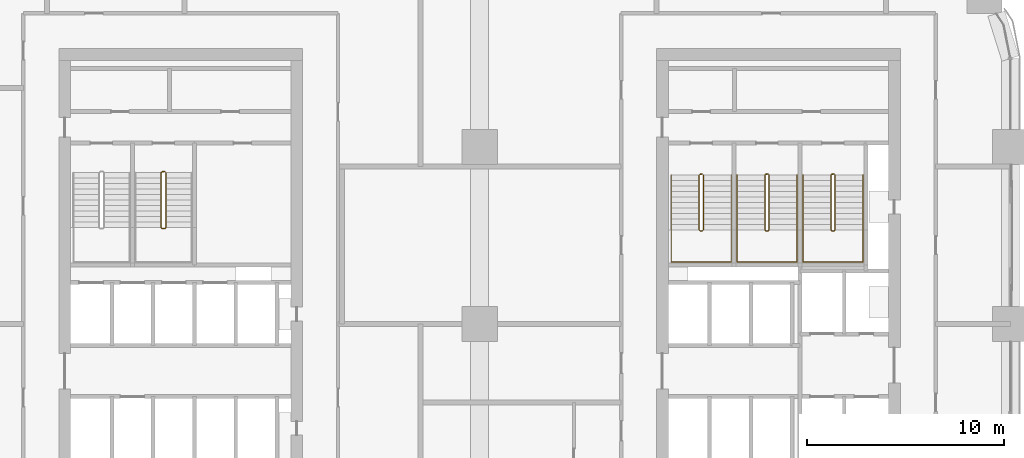
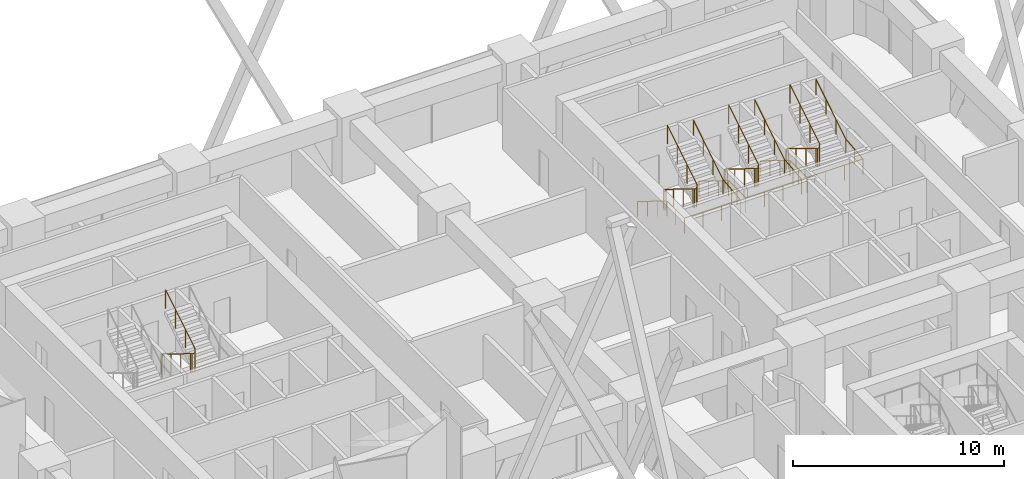
# One storey, part 19 of 19: 7 railings.
"""IFC4 building model written with IfcOpenShell, lengths in metres."""

import ifcopenshell
import ifcopenshell.guid

model = None  # the IFC model being written
_history = None  # IfcOwnerHistory: only IFC2X3 demands one
_inside = {}  # id of a spatial element -> (the spatial element, [elements in it])
_under = {}  # id of a project, library or spatial element -> (it, [spatial elements below it])
_declared = {}  # id of a project -> (the project, [libraries it declares])
_typed = {}  # id of a type object -> (the type object, [elements of that type])
_made_of = {}  # id of a material, layer set ... -> (it, [elements and type objects made of it])


def new_model(schema):
    """Start an empty IFC model of exactly this schema.

    Asked for "IFC4X3", IfcOpenShell would pick the latest addendum, in which some entities
    have other attributes; the version numbers below select the first issue.
    IFC2X3 requires an IfcOwnerHistory on every rooted entity: one is made here for all.
    """
    global model, _history
    if schema == "IFC4X3":
        model = ifcopenshell.file(schema_version=(4, 3, 0, 0))
    else:
        model = ifcopenshell.file(schema=schema)
    _inside.clear()
    _under.clear()
    _declared.clear()
    _typed.clear()
    _made_of.clear()
    _history = None
    if model.schema == "IFC2X3":
        org = make("IfcOrganization", Name="unknown")
        user = make(
            "IfcPersonAndOrganization",
            ThePerson=make("IfcPerson", FamilyName="unknown"),
            TheOrganization=org,
        )
        app = make(
            "IfcApplication",
            ApplicationDeveloper=org,
            Version="unknown",
            ApplicationFullName="unknown",
            ApplicationIdentifier="unknown",
        )
        _history = make(
            "IfcOwnerHistory",
            OwningUser=user,
            OwningApplication=app,
            ChangeAction="ADDED",
            CreationDate=0,
        )
    return model


def make(cls, **values):
    """One entity of the class cls with the attributes given. An attribute that is None is left unset."""
    return model.create_entity(
        cls, **{name: value for name, value in values.items() if value is not None}
    )


def rooted(cls, **values):
    """An entity with a GlobalId (a new one), such as an element, a storey or a relation."""
    return make(cls, GlobalId=ifcopenshell.guid.new(), OwnerHistory=_history, **values)


def si_unit(unit_type, name, prefix=None):
    """IfcSIUnit, for example si_unit("LENGTHUNIT", "METRE", prefix="MILLI")."""
    return make("IfcSIUnit", UnitType=unit_type, Prefix=prefix, Name=name)


def assignment(units):
    """IfcUnitAssignment: the units of a project."""
    return None if units is None else make("IfcUnitAssignment", Units=units)


def point(xyz):
    """IfcCartesianPoint."""
    return None if xyz is None else make("IfcCartesianPoint", Coordinates=xyz)


def direction(xyz):
    """IfcDirection."""
    return None if xyz is None else make("IfcDirection", DirectionRatios=xyz)


def frame(location, z_axis=None, x_axis=None):
    """IfcAxis2Placement3D, a coordinate frame: its origin and axes. An axis left out is left unset."""
    return make(
        "IfcAxis2Placement3D",
        Location=point(location),
        Axis=direction(z_axis),
        RefDirection=direction(x_axis),
    )


def frame_2d(location, x_axis=None):
    """IfcAxis2Placement2D, a coordinate frame in the plane: its origin and x axis."""
    return make(
        "IfcAxis2Placement2D", Location=point(location), RefDirection=direction(x_axis)
    )


def origin():
    """The frame at (0, 0, 0) with its axes left unset."""
    return frame((0.0, 0.0, 0.0))


def origin_2d():
    """The frame at (0, 0) in the plane with its x axis left unset."""
    return frame_2d((0.0, 0.0))


def place(relative_to, where):
    """IfcLocalPlacement: puts the frame where relative to a parent placement (None: the world)."""
    return make(
        "IfcLocalPlacement", PlacementRelTo=relative_to, RelativePlacement=where
    )


def context(
    kind, dimensions, precision=None, world=None, true_north=None, identifier=None
):
    """IfcGeometricRepresentationContext, for example the 3D "Model" context."""
    return make(
        "IfcGeometricRepresentationContext",
        ContextIdentifier=identifier,
        ContextType=kind,
        CoordinateSpaceDimension=dimensions,
        Precision=precision,
        WorldCoordinateSystem=world,
        TrueNorth=true_north,
    )


def subcontext(parent, identifier, kind, view, scale=None):
    """IfcGeometricRepresentationSubContext, for example "Body" below "Model"."""
    return make(
        "IfcGeometricRepresentationSubContext",
        ContextIdentifier=identifier,
        ContextType=kind,
        ParentContext=parent,
        TargetScale=scale,
        TargetView=view,
    )


def project(units=None, contexts=None):
    """IfcProject with its units and contexts."""
    return rooted(
        "IfcProject",
        Name="project",
        RepresentationContexts=contexts,
        UnitsInContext=assignment(units),
    )


def spatial(cls, under=None, at=None, **own):
    """A site, building, storey or space (cls), placed at a placement, below another one or the project."""
    s = rooted(cls, ObjectPlacement=at, **own)
    if under is not None:
        _under.setdefault(under.id(), (under, []))[1].append(s)
    return s


def profile(cls, at=None, kind="AREA", **sizes):
    """A parametric profile (cls). Its sizes go by their IFC names, for example OverallWidth=200.0."""
    return make(cls, ProfileType=kind, Position=at, **sizes)


def circle(**sizes):
    """IfcCircleProfileDef."""
    return profile("IfcCircleProfileDef", **sizes)


def extrude(swept, where, along, depth):
    """IfcExtrudedAreaSolid: the profile swept, set in the frame where, extruded along a direction by depth."""
    return make(
        "IfcExtrudedAreaSolid",
        SweptArea=swept,
        Position=where,
        ExtrudedDirection=direction(along),
        Depth=depth,
    )


def shape(context_of_items, identifier, shape_type, items):
    """IfcShapeRepresentation: the items that make up one representation, for example the "Body"."""
    return make(
        "IfcShapeRepresentation",
        ContextOfItems=context_of_items,
        RepresentationIdentifier=identifier,
        RepresentationType=shape_type,
        Items=items,
    )


def material(Name=None, Category=None):
    """IfcMaterial."""
    return make("IfcMaterial", Name=Name, Category=Category)


def made_of(thing, what):
    """Note that an element or type object is made of a material, layer set ...; save() writes the relation."""
    if what is not None:
        _made_of.setdefault(what.id(), (what, []))[1].append(thing)
    return thing


def type_object(cls, material=None, **own):
    """A type object (cls), such as IfcWallType, which elements share."""
    return made_of(rooted(cls, **own), material)


def element(
    cls,
    number,
    at=None,
    inside=None,
    cuts=None,
    type_object=None,
    material=None,
    context=None,
    identifier="Body",
    shape_type=None,
    held_by="IfcProductDefinitionShape",
    body=None,
    shapes=None,
    **own,
):
    """One element of the class cls, such as IfcWall. Its Tag is "e" and its number.

    at: its placement. inside: the storey or other place that contains it. cuts: it is an
    opening in that element (IfcRelVoidsElement). A single representation is given by context,
    identifier, shape_type and body (its items); several are given by shapes. held_by: the class
    of the entity that holds the representations. save() writes the other relations.
    """
    e = rooted(cls, Tag="e%d" % number, ObjectPlacement=at, **own)
    if body is not None:
        shapes = [shape(context, identifier, shape_type, body)]
    if shapes is not None:
        e.Representation = make(held_by, Representations=shapes)
    if inside is not None:
        _inside.setdefault(inside.id(), (inside, []))[1].append(e)
    if cuts is not None:
        rooted(
            "IfcRelVoidsElement", RelatingBuildingElement=cuts, RelatedOpeningElement=e
        )
    if type_object is not None:
        _typed.setdefault(type_object.id(), (type_object, []))[1].append(e)
    return made_of(e, material)


def aggregate(whole, parts):
    """IfcRelAggregates: a whole, such as a stair, and the parts it consists of."""
    return rooted("IfcRelAggregates", RelatingObject=whole, RelatedObjects=parts)


def save(model, path):
    """Write the relations noted so far, then the file.

    IfcRelAggregates (storeys below a building ...), IfcRelContainedInSpatialStructure (elements
    in a storey), IfcRelDefinesByType, IfcRelAssociatesMaterial and IfcRelDeclares: one each for
    every whole, place, type object, material and project.
    """
    for whole, parts in _under.values():
        aggregate(whole, parts)
    for where, things in _inside.values():
        rooted(
            "IfcRelContainedInSpatialStructure",
            RelatedElements=things,
            RelatingStructure=where,
        )
    for kind, things in _typed.values():
        rooted("IfcRelDefinesByType", RelatedObjects=things, RelatingType=kind)
    for what, things in _made_of.values():
        rooted("IfcRelAssociatesMaterial", RelatedObjects=things, RelatingMaterial=what)
    for by, libraries in _declared.values():
        rooted("IfcRelDeclares", RelatingContext=by, RelatedDefinitions=libraries)
    model.write(path)


model = new_model("IFC4")

# Units and contexts
model_context = context("Model", 3, precision=1e-05, world=origin(), true_north=direction((0.0, 1.0)))
body_context = subcontext(model_context, "Body", "Model", "MODEL_VIEW")
ifc_project = project(units=[si_unit("LENGTHUNIT", "METRE"), si_unit("AREAUNIT", "SQUARE_METRE"), si_unit("VOLUMEUNIT", "CUBIC_METRE"), si_unit("PLANEANGLEUNIT", "RADIAN"), si_unit("MASSUNIT", "GRAM", prefix="KILO")], contexts=[model_context])

# Site, building, storey
site_placement = place(None, origin())
site = spatial("IfcSite", under=ifc_project, at=site_placement, CompositionType="ELEMENT")
building_placement = place(site_placement, origin())
building = spatial("IfcBuilding", under=site, at=building_placement, Name="Tessera Arch", CompositionType="ELEMENT")
storey_placement = place(building_placement, frame((0.0, 0.0, 108.199951171875)))
storey = spatial("IfcBuildingStorey", under=building, at=storey_placement, Name="L25", CompositionType="ELEMENT", Elevation=108.199951171875)

# Railings
ifc_material_1 = material(Name="Painted steel balustrade", Category="steel")
railing_type_1 = type_object("IfcRailingType", Name="Stair guard 1100", PredefinedType="GUARDRAIL", material=ifc_material_1)
railing_1_placement = place(storey_placement, frame((38.219970703125, 43.6298828125, 0.0)))
element("IfcRailing", 1, at=railing_1_placement, inside=storey, type_object=railing_type_1, Name="L25 S1a stair guard 1", PredefinedType="GUARDRAIL", context=body_context, shape_type="SweptSolid", body=[
    extrude(circle(Radius=0.02392578125, at=origin_2d()), frame((-0.00390625, 0.0, 1.076171875), z_axis=(1.0, 0.0, 0.0), x_axis=(0.0, 1.0, 0.0)), (0.0, 0.0, 1.0), 0.1181640625),
    extrude(circle(Radius=0.02392578125, at=origin_2d()), frame((0.11279296875, 0.000732421875, 1.0732421875), z_axis=(-0.664965661675, -0.206788102106, 0.717676354369), x_axis=(0.296948579431, -0.954893471113, 0.0)), (0.0, 0.0, 1.0), 0.248779296875),
    extrude(circle(Radius=0.02392578125, at=origin_2d()), frame((-0.050048828125, -0.04638671875, 1.246826171875), z_axis=(0.0, -0.851089632645, 0.525020415988), x_axis=(1.0, 0.0, 0.0)), (0.0, 0.0, 1.0), 3.2978515625),
    extrude(circle(Radius=0.02392578125, at=origin_2d()), frame((-0.052978515625, -2.846923828125, 2.97607421875), z_axis=(0.707106781187, -0.707106781187, 0.0), x_axis=(0.707106781187, 0.707106781187, 0.0)), (0.0, 0.0, 1.0), 0.078857421875),
    extrude(circle(Radius=0.02392578125, at=origin_2d()), frame((-0.00390625, -2.89990234375, 2.97607421875), z_axis=(1.0, 0.0, 0.0), x_axis=(0.0, 1.0, 0.0)), (0.0, 0.0, 1.0), 0.1181640625),
    extrude(circle(Radius=0.02392578125, at=origin_2d()), frame((0.109130859375, -2.90087890625, 2.972412109375), z_axis=(0.267062837333, 0.268371968888, 0.925556009775), x_axis=(-0.708833529934, 0.705375805398, 0.0)), (0.0, 0.0, 1.0), 0.194580078125),
    extrude(circle(Radius=0.02392578125, at=origin_2d()), frame((0.159912109375, -2.853271484375, 3.146728515625), z_axis=(0.0, 0.851089632645, 0.525020415988), x_axis=(-1.0, 0.0, 0.0)), (0.0, 0.0, 1.0), 3.2978515625),
    extrude(circle(Radius=0.02099609375, at=origin_2d()), origin(), (0.0, 0.0, 1.0), 1.06396484375),
    extrude(circle(Radius=0.02099609375, at=origin_2d()), frame((0.110107421875, 0.0, 0.0)), (0.0, 0.0, 1.0), 1.06396484375),
    extrude(circle(Radius=0.02099609375, at=origin_2d()), frame((-0.050048828125, -0.0498046875, 0.1728515625)), (0.0, 0.0, 1.0), 1.06396484375),
    extrude(circle(Radius=0.02099609375, at=origin_2d()), frame((-0.050048828125, -0.983154296875, 0.74853515625)), (0.0, 0.0, 1.0), 1.06396484375),
    extrude(circle(Radius=0.02099609375, at=origin_2d()), frame((-0.050048828125, -1.91650390625, 1.324462890625)), (0.0, 0.0, 1.0), 1.06396484375),
    extrude(circle(Radius=0.02099609375, at=origin_2d()), frame((-0.050048828125, -2.849853515625, 1.900146484375)), (0.0, 0.0, 1.0), 1.06396484375),
    extrude(circle(Radius=0.02099609375, at=origin_2d()), frame((0.0, -2.89990234375, 1.900146484375)), (0.0, 0.0, 1.0), 1.06396484375),
    extrude(circle(Radius=0.02099609375, at=origin_2d()), frame((0.110107421875, -2.89990234375, 1.900146484375)), (0.0, 0.0, 1.0), 1.06396484375),
    extrude(circle(Radius=0.02099609375, at=origin_2d()), frame((0.159912109375, -2.849853515625, 2.07275390625)), (0.0, 0.0, 1.0), 1.06396484375),
    extrude(circle(Radius=0.02099609375, at=origin_2d()), frame((0.159912109375, -1.91650390625, 2.6484375)), (0.0, 0.0, 1.0), 1.06396484375),
    extrude(circle(Radius=0.02099609375, at=origin_2d()), frame((0.159912109375, -0.983154296875, 3.224365234375)), (0.0, 0.0, 1.0), 1.06396484375),
    extrude(circle(Radius=0.02099609375, at=origin_2d()), frame((0.159912109375, -0.0498046875, 3.800048828125)), (0.0, 0.0, 1.0), 1.06396484375),
])
railing_2_placement = place(storey_placement, frame((41.570068359375, 43.6298828125, 0.0)))
element("IfcRailing", 2, at=railing_2_placement, inside=storey, type_object=railing_type_1, Name="L25 S1b stair guard 1", PredefinedType="GUARDRAIL", context=body_context, shape_type="SweptSolid", body=[
    extrude(circle(Radius=0.02392578125, at=origin_2d()), frame((-0.00390625, 0.0, 1.076171875), z_axis=(1.0, 0.0, 0.0), x_axis=(0.0, 1.0, 0.0)), (0.0, 0.0, 1.0), 0.117919921875),
    extrude(circle(Radius=0.02392578125, at=origin_2d()), frame((0.112548828125, 0.000732421875, 1.0732421875), z_axis=(-0.664399645116, -0.206927523059, 0.718160227087), x_axis=(0.297361876254, -0.954764847777, 0.0)), (0.0, 0.0, 1.0), 0.248779296875),
    extrude(circle(Radius=0.02392578125, at=origin_2d()), frame((-0.050048828125, -0.04638671875, 1.246826171875), z_axis=(0.0, -0.851089632645, 0.525020415988), x_axis=(1.0, 0.0, 0.0)), (0.0, 0.0, 1.0), 3.2978515625),
    extrude(circle(Radius=0.02392578125, at=origin_2d()), frame((-0.052978515625, -2.846923828125, 2.97607421875), z_axis=(0.707106781187, -0.707106781187, 0.0), x_axis=(0.707106781187, 0.707106781187, 0.0)), (0.0, 0.0, 1.0), 0.078857421875),
    extrude(circle(Radius=0.02392578125, at=origin_2d()), frame((-0.00390625, -2.89990234375, 2.97607421875), z_axis=(1.0, 0.0, 0.0), x_axis=(0.0, 1.0, 0.0)), (0.0, 0.0, 1.0), 0.117919921875),
    extrude(circle(Radius=0.02392578125, at=origin_2d()), frame((0.10888671875, -2.90087890625, 2.972412109375), z_axis=(0.268277960024, 0.268277960024, 0.925231793839), x_axis=(-0.707106781187, 0.707106781187, 0.0)), (0.0, 0.0, 1.0), 0.194580078125),
    extrude(circle(Radius=0.02392578125, at=origin_2d()), frame((0.159912109375, -2.853271484375, 3.146728515625), z_axis=(0.0, 0.851089632645, 0.525020415988), x_axis=(-1.0, 0.0, 0.0)), (0.0, 0.0, 1.0), 3.2978515625),
    extrude(circle(Radius=0.02099609375, at=origin_2d()), origin(), (0.0, 0.0, 1.0), 1.06396484375),
    extrude(circle(Radius=0.02099609375, at=origin_2d()), frame((0.10986328125, 0.0, 0.0)), (0.0, 0.0, 1.0), 1.06396484375),
    extrude(circle(Radius=0.02099609375, at=origin_2d()), frame((-0.050048828125, -0.0498046875, 0.1728515625)), (0.0, 0.0, 1.0), 1.06396484375),
    extrude(circle(Radius=0.02099609375, at=origin_2d()), frame((-0.050048828125, -0.983154296875, 0.74853515625)), (0.0, 0.0, 1.0), 1.06396484375),
    extrude(circle(Radius=0.02099609375, at=origin_2d()), frame((-0.050048828125, -1.91650390625, 1.324462890625)), (0.0, 0.0, 1.0), 1.06396484375),
    extrude(circle(Radius=0.02099609375, at=origin_2d()), frame((-0.050048828125, -2.849853515625, 1.900146484375)), (0.0, 0.0, 1.0), 1.06396484375),
    extrude(circle(Radius=0.02099609375, at=origin_2d()), frame((0.0, -2.89990234375, 1.900146484375)), (0.0, 0.0, 1.0), 1.06396484375),
    extrude(circle(Radius=0.02099609375, at=origin_2d()), frame((0.10986328125, -2.89990234375, 1.900146484375)), (0.0, 0.0, 1.0), 1.06396484375),
    extrude(circle(Radius=0.02099609375, at=origin_2d()), frame((0.159912109375, -2.849853515625, 2.07275390625)), (0.0, 0.0, 1.0), 1.06396484375),
    extrude(circle(Radius=0.02099609375, at=origin_2d()), frame((0.159912109375, -1.91650390625, 2.6484375)), (0.0, 0.0, 1.0), 1.06396484375),
    extrude(circle(Radius=0.02099609375, at=origin_2d()), frame((0.159912109375, -0.983154296875, 3.224365234375)), (0.0, 0.0, 1.0), 1.06396484375),
    extrude(circle(Radius=0.02099609375, at=origin_2d()), frame((0.159912109375, -0.0498046875, 3.800048828125)), (0.0, 0.0, 1.0), 1.06396484375),
])
railing_3_placement = place(storey_placement, frame((44.919921875, 43.6298828125, 0.0)))
element("IfcRailing", 3, at=railing_3_placement, inside=storey, type_object=railing_type_1, Name="L25 S1c stair guard 1", PredefinedType="GUARDRAIL", context=body_context, shape_type="SweptSolid", body=[
    extrude(circle(Radius=0.02392578125, at=origin_2d()), frame((-0.00390625, 0.0, 1.076171875), z_axis=(1.0, 0.0, 0.0), x_axis=(0.0, 1.0, 0.0)), (0.0, 0.0, 1.0), 0.1181640625),
    extrude(circle(Radius=0.02392578125, at=origin_2d()), frame((0.11279296875, 0.000732421875, 1.0732421875), z_axis=(-0.664399645116, -0.206927523059, 0.718160227087), x_axis=(0.297361876254, -0.954764847777, 0.0)), (0.0, 0.0, 1.0), 0.248779296875),
    extrude(circle(Radius=0.02392578125, at=origin_2d()), frame((-0.0498046875, -0.04638671875, 1.246826171875), z_axis=(0.0, -0.851089632645, 0.525020415988), x_axis=(1.0, 0.0, 0.0)), (0.0, 0.0, 1.0), 3.2978515625),
    extrude(circle(Radius=0.02392578125, at=origin_2d()), frame((-0.052734375, -2.846923828125, 2.97607421875), z_axis=(0.705375805398, -0.708833529934, 0.0), x_axis=(0.708833529934, 0.705375805398, 0.0)), (0.0, 0.0, 1.0), 0.07861328125),
    extrude(circle(Radius=0.02392578125, at=origin_2d()), frame((-0.00390625, -2.89990234375, 2.97607421875), z_axis=(1.0, 0.0, 0.0), x_axis=(0.0, 1.0, 0.0)), (0.0, 0.0, 1.0), 0.1181640625),
    extrude(circle(Radius=0.02392578125, at=origin_2d()), frame((0.109130859375, -2.90087890625, 2.972412109375), z_axis=(0.268277960024, 0.268277960024, 0.925231793839), x_axis=(-0.707106781187, 0.707106781187, 0.0)), (0.0, 0.0, 1.0), 0.194580078125),
    extrude(circle(Radius=0.02392578125, at=origin_2d()), frame((0.16015625, -2.853271484375, 3.146728515625), z_axis=(0.0, 0.851089632645, 0.525020415988), x_axis=(-1.0, 0.0, 0.0)), (0.0, 0.0, 1.0), 3.2978515625),
    extrude(circle(Radius=0.02099609375, at=origin_2d()), origin(), (0.0, 0.0, 1.0), 1.06396484375),
    extrude(circle(Radius=0.02099609375, at=origin_2d()), frame((0.110107421875, 0.0, 0.0)), (0.0, 0.0, 1.0), 1.06396484375),
    extrude(circle(Radius=0.02099609375, at=origin_2d()), frame((-0.0498046875, -0.0498046875, 0.1728515625)), (0.0, 0.0, 1.0), 1.06396484375),
    extrude(circle(Radius=0.02099609375, at=origin_2d()), frame((-0.0498046875, -0.983154296875, 0.74853515625)), (0.0, 0.0, 1.0), 1.06396484375),
    extrude(circle(Radius=0.02099609375, at=origin_2d()), frame((-0.0498046875, -1.91650390625, 1.324462890625)), (0.0, 0.0, 1.0), 1.06396484375),
    extrude(circle(Radius=0.02099609375, at=origin_2d()), frame((-0.0498046875, -2.849853515625, 1.900146484375)), (0.0, 0.0, 1.0), 1.06396484375),
    extrude(circle(Radius=0.02099609375, at=origin_2d()), frame((0.0, -2.89990234375, 1.900146484375)), (0.0, 0.0, 1.0), 1.06396484375),
    extrude(circle(Radius=0.02099609375, at=origin_2d()), frame((0.110107421875, -2.89990234375, 1.900146484375)), (0.0, 0.0, 1.0), 1.06396484375),
    extrude(circle(Radius=0.02099609375, at=origin_2d()), frame((0.16015625, -2.849853515625, 2.07275390625)), (0.0, 0.0, 1.0), 1.06396484375),
    extrude(circle(Radius=0.02099609375, at=origin_2d()), frame((0.16015625, -1.91650390625, 2.6484375)), (0.0, 0.0, 1.0), 1.06396484375),
    extrude(circle(Radius=0.02099609375, at=origin_2d()), frame((0.16015625, -0.983154296875, 3.224365234375)), (0.0, 0.0, 1.0), 1.06396484375),
    extrude(circle(Radius=0.02099609375, at=origin_2d()), frame((0.16015625, -0.0498046875, 3.800048828125)), (0.0, 0.0, 1.0), 1.06396484375),
])
railing_4_placement = place(storey_placement, frame((10.85009765625, 43.75, 0.0)))
element("IfcRailing", 4, at=railing_4_placement, inside=storey, type_object=railing_type_1, Name="L25 S2b stair guard 1", PredefinedType="GUARDRAIL", context=body_context, shape_type="SweptSolid", body=[
    extrude(circle(Radius=0.02392578125, at=origin_2d()), frame((-0.00390625, 0.0, 1.076171875), z_axis=(1.0, 0.0, 0.0), x_axis=(0.0, 1.0, 0.0)), (0.0, 0.0, 1.0), 0.157958984375),
    extrude(circle(Radius=0.02392578125, at=origin_2d()), frame((0.15283203125, 0.000732421875, 1.073486328125), z_axis=(-0.743302536996, -0.186052527575, 0.642561900114), x_axis=(0.242814311512, -0.970072785993, 0.0)), (0.0, 0.0, 1.0), 0.277099609375),
    extrude(circle(Radius=0.02392578125, at=origin_2d()), frame((-0.050048828125, -0.046630859375, 1.246826171875), z_axis=(0.0, -0.851089632645, 0.525020415988), x_axis=(1.0, 0.0, 0.0)), (0.0, 0.0, 1.0), 3.2978515625),
    extrude(circle(Radius=0.02392578125, at=origin_2d()), frame((-0.052978515625, -2.84716796875, 2.97607421875), z_axis=(0.708833529934, -0.705375805398, 0.0), x_axis=(0.705375805398, 0.708833529934, 0.0)), (0.0, 0.0, 1.0), 0.07861328125),
    extrude(circle(Radius=0.02392578125, at=origin_2d()), frame((-0.00390625, -2.89990234375, 2.97607421875), z_axis=(1.0, 0.0, 0.0), x_axis=(0.0, 1.0, 0.0)), (0.0, 0.0, 1.0), 0.157958984375),
    extrude(circle(Radius=0.02392578125, at=origin_2d()), frame((0.14892578125, -2.90087890625, 2.972412109375), z_axis=(0.268371968888, 0.267062837333, 0.925556009775), x_axis=(-0.705375805398, 0.708833529934, 0.0)), (0.0, 0.0, 1.0), 0.194580078125),
    extrude(circle(Radius=0.02392578125, at=origin_2d()), frame((0.199951171875, -2.853515625, 3.146728515625), z_axis=(0.0, 0.851089632645, 0.525020415988), x_axis=(-1.0, 0.0, 0.0)), (0.0, 0.0, 1.0), 3.2978515625),
    extrude(circle(Radius=0.02099609375, at=origin_2d()), origin(), (0.0, 0.0, 1.0), 1.06396484375),
    extrude(circle(Radius=0.02099609375, at=origin_2d()), frame((0.14990234375, 0.0, 0.0)), (0.0, 0.0, 1.0), 1.06396484375),
    extrude(circle(Radius=0.02099609375, at=origin_2d()), frame((-0.050048828125, -0.050048828125, 0.1728515625)), (0.0, 0.0, 1.0), 1.06396484375),
    extrude(circle(Radius=0.02099609375, at=origin_2d()), frame((-0.050048828125, -0.9833984375, 0.74853515625)), (0.0, 0.0, 1.0), 1.06396484375),
    extrude(circle(Radius=0.02099609375, at=origin_2d()), frame((-0.050048828125, -1.916748046875, 1.324462890625)), (0.0, 0.0, 1.0), 1.06396484375),
    extrude(circle(Radius=0.02099609375, at=origin_2d()), frame((-0.050048828125, -2.85009765625, 1.900146484375)), (0.0, 0.0, 1.0), 1.06396484375),
    extrude(circle(Radius=0.02099609375, at=origin_2d()), frame((0.0, -2.89990234375, 1.900146484375)), (0.0, 0.0, 1.0), 1.06396484375),
    extrude(circle(Radius=0.02099609375, at=origin_2d()), frame((0.14990234375, -2.89990234375, 1.900146484375)), (0.0, 0.0, 1.0), 1.06396484375),
    extrude(circle(Radius=0.02099609375, at=origin_2d()), frame((0.199951171875, -2.85009765625, 2.07275390625)), (0.0, 0.0, 1.0), 1.06396484375),
    extrude(circle(Radius=0.02099609375, at=origin_2d()), frame((0.199951171875, -1.916748046875, 2.6484375)), (0.0, 0.0, 1.0), 1.06396484375),
    extrude(circle(Radius=0.02099609375, at=origin_2d()), frame((0.199951171875, -0.9833984375, 3.224365234375)), (0.0, 0.0, 1.0), 1.06396484375),
    extrude(circle(Radius=0.02099609375, at=origin_2d()), frame((0.199951171875, -0.050048828125, 3.800048828125)), (0.0, 0.0, 1.0), 1.06396484375),
])
ifc_material_2 = material(Name="Painted steel handrail", Category="steel")
railing_type_2 = type_object("IfcRailingType", Name="Stair handrail 900", PredefinedType="HANDRAIL", material=ifc_material_2)
railing_5_placement = place(storey_placement, frame((36.75, 43.580078125, 0.1728515625)))
element("IfcRailing", 5, at=railing_5_placement, inside=storey, type_object=railing_type_2, Name="L25 S1a stair handrail", PredefinedType="HANDRAIL", context=body_context, shape_type="SweptSolid", body=[
    extrude(circle(Radius=0.02392578125, at=origin_2d()), frame((0.0, 0.00341796875, 0.873779296875), z_axis=(0.0, -0.851089632645, 0.525020415988), x_axis=(1.0, 0.0, 0.0)), (0.0, 0.0, 1.0), 3.2978515625),
    extrude(circle(Radius=0.02392578125, at=origin_2d()), frame((0.0, -2.796142578125, 2.60302734375), z_axis=(0.0, -1.0, 0.0), x_axis=(1.0, 0.0, 0.0)), (0.0, 0.0, 1.0), 1.63818359375),
    extrude(circle(Radius=0.02392578125, at=origin_2d()), frame((-0.00390625, -4.43017578125, 2.60302734375), z_axis=(1.0, 0.0, 0.0), x_axis=(0.0, 1.0, 0.0)), (0.0, 0.0, 1.0), 3.05810546875),
    extrude(circle(Radius=0.02392578125, at=origin_2d()), frame((3.050048828125, -4.43408203125, 2.602783203125), z_axis=(0.0, 0.994440793715, 0.105297235459), x_axis=(-1.0, 0.0, 0.0)), (0.0, 0.0, 1.0), 1.647216796875),
    extrude(circle(Radius=0.02392578125, at=origin_2d()), frame((3.050048828125, -2.803466796875, 2.773681640625), z_axis=(0.0, 0.851089632645, 0.525020415988), x_axis=(-1.0, 0.0, 0.0)), (0.0, 0.0, 1.0), 3.2978515625),
    extrude(circle(Radius=0.02099609375, at=origin_2d()), origin(), (0.0, 0.0, 1.0), 0.86376953125),
    extrude(circle(Radius=0.02099609375, at=origin_2d()), frame((0.0, -0.933349609375, 0.57568359375)), (0.0, 0.0, 1.0), 0.86376953125),
    extrude(circle(Radius=0.02099609375, at=origin_2d()), frame((0.0, -1.86669921875, 1.151611328125)), (0.0, 0.0, 1.0), 0.86376953125),
    extrude(circle(Radius=0.02099609375, at=origin_2d()), frame((0.0, -2.800048828125, 1.727294921875)), (0.0, 0.0, 1.0), 0.86376953125),
    extrude(circle(Radius=0.02099609375, at=origin_2d()), frame((0.0, -3.615234375, 1.727294921875)), (0.0, 0.0, 1.0), 0.86376953125),
    extrude(circle(Radius=0.02099609375, at=origin_2d()), frame((0.0, -4.43017578125, 1.727294921875)), (0.0, 0.0, 1.0), 0.86376953125),
    extrude(circle(Radius=0.02099609375, at=origin_2d()), frame((1.0166015625, -4.43017578125, 1.727294921875)), (0.0, 0.0, 1.0), 0.86376953125),
    extrude(circle(Radius=0.02099609375, at=origin_2d()), frame((2.033447265625, -4.43017578125, 1.727294921875)), (0.0, 0.0, 1.0), 0.86376953125),
    extrude(circle(Radius=0.02099609375, at=origin_2d()), frame((3.050048828125, -4.43017578125, 1.727294921875)), (0.0, 0.0, 1.0), 0.86376953125),
    extrude(circle(Radius=0.02099609375, at=origin_2d()), frame((3.050048828125, -3.615234375, 1.8134765625)), (0.0, 0.0, 1.0), 0.86376953125),
    extrude(circle(Radius=0.02099609375, at=origin_2d()), frame((3.050048828125, -2.800048828125, 1.89990234375)), (0.0, 0.0, 1.0), 0.86376953125),
    extrude(circle(Radius=0.02099609375, at=origin_2d()), frame((3.050048828125, -1.86669921875, 2.4755859375)), (0.0, 0.0, 1.0), 0.86376953125),
    extrude(circle(Radius=0.02099609375, at=origin_2d()), frame((3.050048828125, -0.933349609375, 3.051513671875)), (0.0, 0.0, 1.0), 0.86376953125),
    extrude(circle(Radius=0.02099609375, at=origin_2d()), frame((3.050048828125, 0.0, 3.627197265625)), (0.0, 0.0, 1.0), 0.86376953125),
])
railing_6_placement = place(storey_placement, frame((40.10009765625, 43.580078125, 0.1728515625)))
element("IfcRailing", 6, at=railing_6_placement, inside=storey, type_object=railing_type_2, Name="L25 S1b stair handrail", PredefinedType="HANDRAIL", context=body_context, shape_type="SweptSolid", body=[
    extrude(circle(Radius=0.02392578125, at=origin_2d()), frame((0.0, 0.00341796875, 0.873779296875), z_axis=(0.0, -0.851089632645, 0.525020415988), x_axis=(1.0, 0.0, 0.0)), (0.0, 0.0, 1.0), 3.2978515625),
    extrude(circle(Radius=0.02392578125, at=origin_2d()), frame((0.0, -2.796142578125, 2.60302734375), z_axis=(0.0, -1.0, 0.0), x_axis=(1.0, 0.0, 0.0)), (0.0, 0.0, 1.0), 1.63818359375),
    extrude(circle(Radius=0.02392578125, at=origin_2d()), frame((-0.00390625, -4.43017578125, 2.60302734375), z_axis=(1.0, 0.0, 0.0), x_axis=(0.0, 1.0, 0.0)), (0.0, 0.0, 1.0), 3.057861328125),
    extrude(circle(Radius=0.02392578125, at=origin_2d()), frame((3.0498046875, -4.43408203125, 2.602783203125), z_axis=(0.0, 0.994440793715, 0.105297235459), x_axis=(-1.0, 0.0, 0.0)), (0.0, 0.0, 1.0), 1.647216796875),
    extrude(circle(Radius=0.02392578125, at=origin_2d()), frame((3.0498046875, -2.803466796875, 2.773681640625), z_axis=(0.0, 0.851089632645, 0.525020415988), x_axis=(-1.0, 0.0, 0.0)), (0.0, 0.0, 1.0), 3.2978515625),
    extrude(circle(Radius=0.02099609375, at=origin_2d()), origin(), (0.0, 0.0, 1.0), 0.86376953125),
    extrude(circle(Radius=0.02099609375, at=origin_2d()), frame((0.0, -0.933349609375, 0.57568359375)), (0.0, 0.0, 1.0), 0.86376953125),
    extrude(circle(Radius=0.02099609375, at=origin_2d()), frame((0.0, -1.86669921875, 1.151611328125)), (0.0, 0.0, 1.0), 0.86376953125),
    extrude(circle(Radius=0.02099609375, at=origin_2d()), frame((0.0, -2.800048828125, 1.727294921875)), (0.0, 0.0, 1.0), 0.86376953125),
    extrude(circle(Radius=0.02099609375, at=origin_2d()), frame((0.0, -3.615234375, 1.727294921875)), (0.0, 0.0, 1.0), 0.86376953125),
    extrude(circle(Radius=0.02099609375, at=origin_2d()), frame((0.0, -4.43017578125, 1.727294921875)), (0.0, 0.0, 1.0), 0.86376953125),
    extrude(circle(Radius=0.02099609375, at=origin_2d()), frame((1.0166015625, -4.43017578125, 1.727294921875)), (0.0, 0.0, 1.0), 0.86376953125),
    extrude(circle(Radius=0.02099609375, at=origin_2d()), frame((2.033203125, -4.43017578125, 1.727294921875)), (0.0, 0.0, 1.0), 0.86376953125),
    extrude(circle(Radius=0.02099609375, at=origin_2d()), frame((3.0498046875, -4.43017578125, 1.727294921875)), (0.0, 0.0, 1.0), 0.86376953125),
    extrude(circle(Radius=0.02099609375, at=origin_2d()), frame((3.0498046875, -3.615234375, 1.8134765625)), (0.0, 0.0, 1.0), 0.86376953125),
    extrude(circle(Radius=0.02099609375, at=origin_2d()), frame((3.0498046875, -2.800048828125, 1.89990234375)), (0.0, 0.0, 1.0), 0.86376953125),
    extrude(circle(Radius=0.02099609375, at=origin_2d()), frame((3.0498046875, -1.86669921875, 2.4755859375)), (0.0, 0.0, 1.0), 0.86376953125),
    extrude(circle(Radius=0.02099609375, at=origin_2d()), frame((3.0498046875, -0.933349609375, 3.051513671875)), (0.0, 0.0, 1.0), 0.86376953125),
    extrude(circle(Radius=0.02099609375, at=origin_2d()), frame((3.0498046875, 0.0, 3.627197265625)), (0.0, 0.0, 1.0), 0.86376953125),
])
railing_7_placement = place(storey_placement, frame((43.449951171875, 43.580078125, 0.1728515625)))
element("IfcRailing", 7, at=railing_7_placement, inside=storey, type_object=railing_type_2, Name="L25 S1c stair handrail", PredefinedType="HANDRAIL", context=body_context, shape_type="SweptSolid", body=[
    extrude(circle(Radius=0.02392578125, at=origin_2d()), frame((0.0, 0.00341796875, 0.873779296875), z_axis=(0.0, -0.851089632645, 0.525020415988), x_axis=(1.0, 0.0, 0.0)), (0.0, 0.0, 1.0), 3.2978515625),
    extrude(circle(Radius=0.02392578125, at=origin_2d()), frame((0.0, -2.796142578125, 2.60302734375), z_axis=(0.0, -1.0, 0.0), x_axis=(1.0, 0.0, 0.0)), (0.0, 0.0, 1.0), 1.63818359375),
    extrude(circle(Radius=0.02392578125, at=origin_2d()), frame((-0.00390625, -4.43017578125, 2.60302734375), z_axis=(1.0, 0.0, 0.0), x_axis=(0.0, 1.0, 0.0)), (0.0, 0.0, 1.0), 3.05810546875),
    extrude(circle(Radius=0.02392578125, at=origin_2d()), frame((3.050048828125, -4.43408203125, 2.602783203125), z_axis=(0.0, 0.994440793715, 0.105297235459), x_axis=(-1.0, 0.0, 0.0)), (0.0, 0.0, 1.0), 1.647216796875),
    extrude(circle(Radius=0.02392578125, at=origin_2d()), frame((3.050048828125, -2.803466796875, 2.773681640625), z_axis=(0.0, 0.851089632645, 0.525020415988), x_axis=(-1.0, 0.0, 0.0)), (0.0, 0.0, 1.0), 3.2978515625),
    extrude(circle(Radius=0.02099609375, at=origin_2d()), origin(), (0.0, 0.0, 1.0), 0.86376953125),
    extrude(circle(Radius=0.02099609375, at=origin_2d()), frame((0.0, -0.933349609375, 0.57568359375)), (0.0, 0.0, 1.0), 0.86376953125),
    extrude(circle(Radius=0.02099609375, at=origin_2d()), frame((0.0, -1.86669921875, 1.151611328125)), (0.0, 0.0, 1.0), 0.86376953125),
    extrude(circle(Radius=0.02099609375, at=origin_2d()), frame((0.0, -2.800048828125, 1.727294921875)), (0.0, 0.0, 1.0), 0.86376953125),
    extrude(circle(Radius=0.02099609375, at=origin_2d()), frame((0.0, -3.615234375, 1.727294921875)), (0.0, 0.0, 1.0), 0.86376953125),
    extrude(circle(Radius=0.02099609375, at=origin_2d()), frame((0.0, -4.43017578125, 1.727294921875)), (0.0, 0.0, 1.0), 0.86376953125),
    extrude(circle(Radius=0.02099609375, at=origin_2d()), frame((1.0166015625, -4.43017578125, 1.727294921875)), (0.0, 0.0, 1.0), 0.86376953125),
    extrude(circle(Radius=0.02099609375, at=origin_2d()), frame((2.033447265625, -4.43017578125, 1.727294921875)), (0.0, 0.0, 1.0), 0.86376953125),
    extrude(circle(Radius=0.02099609375, at=origin_2d()), frame((3.050048828125, -4.43017578125, 1.727294921875)), (0.0, 0.0, 1.0), 0.86376953125),
    extrude(circle(Radius=0.02099609375, at=origin_2d()), frame((3.050048828125, -3.615234375, 1.8134765625)), (0.0, 0.0, 1.0), 0.86376953125),
    extrude(circle(Radius=0.02099609375, at=origin_2d()), frame((3.050048828125, -2.800048828125, 1.89990234375)), (0.0, 0.0, 1.0), 0.86376953125),
    extrude(circle(Radius=0.02099609375, at=origin_2d()), frame((3.050048828125, -1.86669921875, 2.4755859375)), (0.0, 0.0, 1.0), 0.86376953125),
    extrude(circle(Radius=0.02099609375, at=origin_2d()), frame((3.050048828125, -0.933349609375, 3.051513671875)), (0.0, 0.0, 1.0), 0.86376953125),
    extrude(circle(Radius=0.02099609375, at=origin_2d()), frame((3.050048828125, 0.0, 3.627197265625)), (0.0, 0.0, 1.0), 0.86376953125),
])

save(model, "model.ifc")
